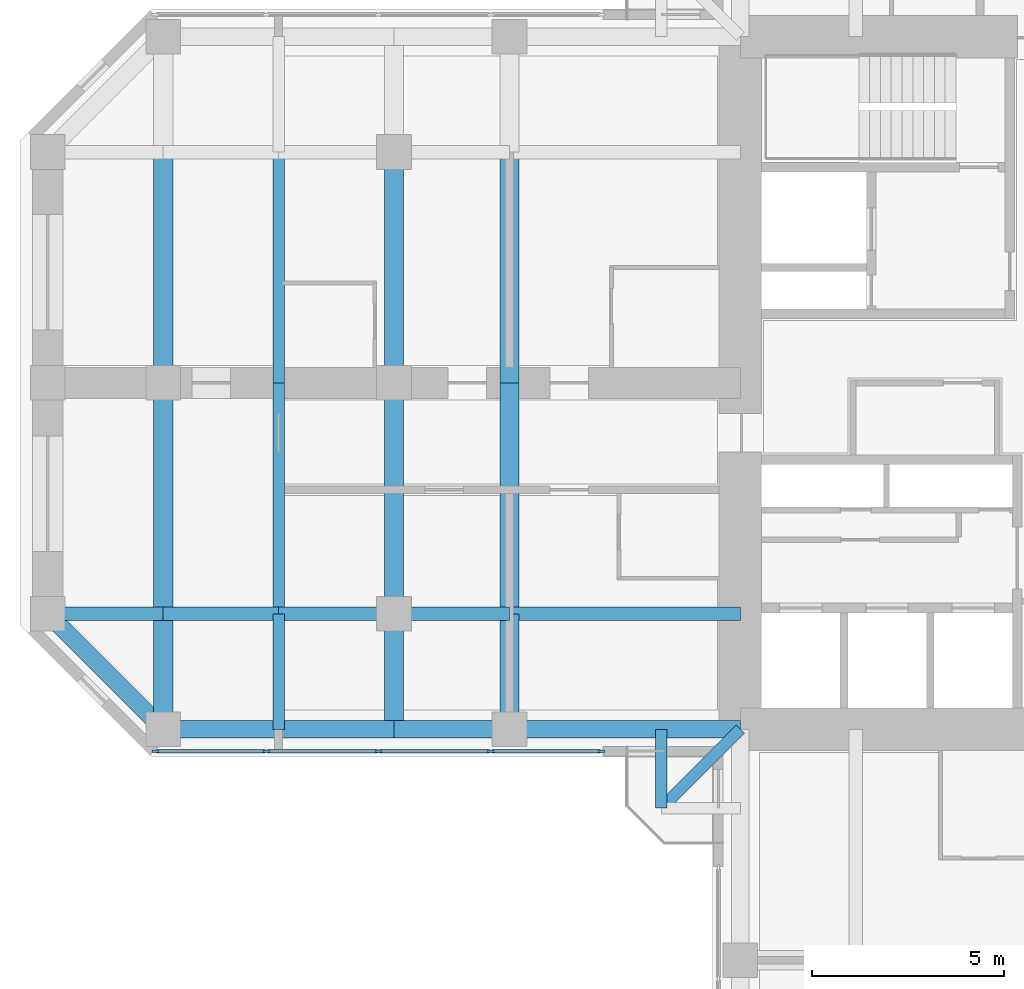
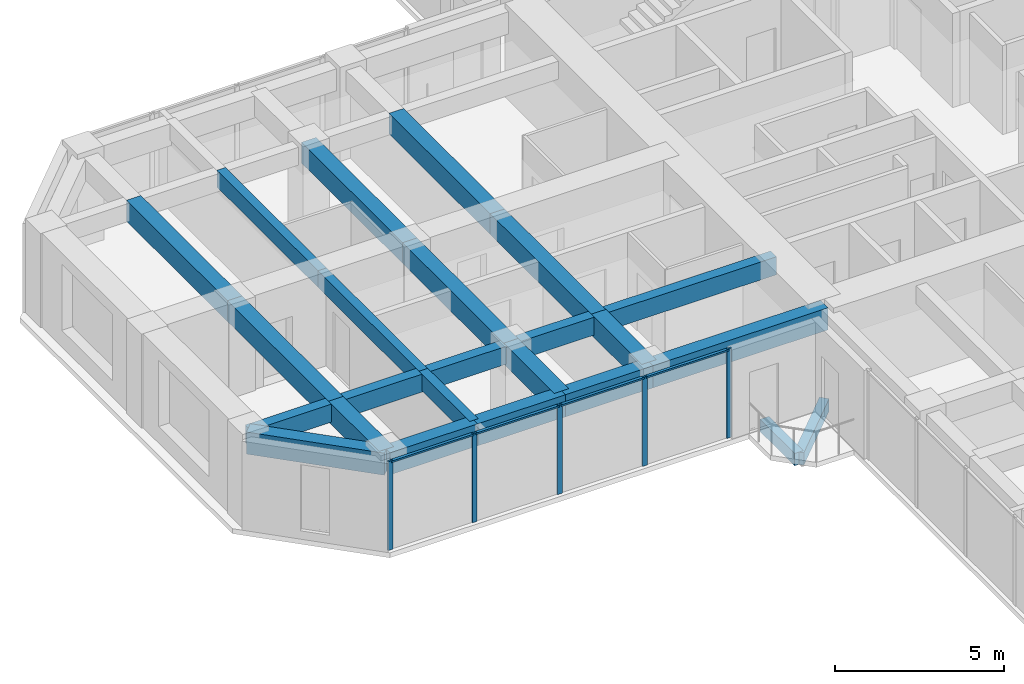
# One storey, part 3 of 14: 24 beams, 9 members, 1 element without a shape of its own.
"""IFC4 building model written with IfcOpenShell, lengths in metres."""

import ifcopenshell
import ifcopenshell.guid

model = None  # the IFC model being written
_history = None  # IfcOwnerHistory: only IFC2X3 demands one
_inside = {}  # id of a spatial element -> (the spatial element, [elements in it])
_under = {}  # id of a project, library or spatial element -> (it, [spatial elements below it])
_declared = {}  # id of a project -> (the project, [libraries it declares])
_typed = {}  # id of a type object -> (the type object, [elements of that type])
_made_of = {}  # id of a material, layer set ... -> (it, [elements and type objects made of it])


def new_model(schema):
    """Start an empty IFC model of exactly this schema.

    Asked for "IFC4X3", IfcOpenShell would pick the latest addendum, in which some entities
    have other attributes; the version numbers below select the first issue.
    IFC2X3 requires an IfcOwnerHistory on every rooted entity: one is made here for all.
    """
    global model, _history
    if schema == "IFC4X3":
        model = ifcopenshell.file(schema_version=(4, 3, 0, 0))
    else:
        model = ifcopenshell.file(schema=schema)
    _inside.clear()
    _under.clear()
    _declared.clear()
    _typed.clear()
    _made_of.clear()
    _history = None
    if model.schema == "IFC2X3":
        org = make("IfcOrganization", Name="unknown")
        user = make(
            "IfcPersonAndOrganization",
            ThePerson=make("IfcPerson", FamilyName="unknown"),
            TheOrganization=org,
        )
        app = make(
            "IfcApplication",
            ApplicationDeveloper=org,
            Version="unknown",
            ApplicationFullName="unknown",
            ApplicationIdentifier="unknown",
        )
        _history = make(
            "IfcOwnerHistory",
            OwningUser=user,
            OwningApplication=app,
            ChangeAction="ADDED",
            CreationDate=0,
        )
    return model


def make(cls, **values):
    """One entity of the class cls with the attributes given. An attribute that is None is left unset."""
    return model.create_entity(
        cls, **{name: value for name, value in values.items() if value is not None}
    )


def rooted(cls, **values):
    """An entity with a GlobalId (a new one), such as an element, a storey or a relation."""
    return make(cls, GlobalId=ifcopenshell.guid.new(), OwnerHistory=_history, **values)


def si_unit(unit_type, name, prefix=None):
    """IfcSIUnit, for example si_unit("LENGTHUNIT", "METRE", prefix="MILLI")."""
    return make("IfcSIUnit", UnitType=unit_type, Prefix=prefix, Name=name)


def assignment(units):
    """IfcUnitAssignment: the units of a project."""
    return None if units is None else make("IfcUnitAssignment", Units=units)


def point(xyz):
    """IfcCartesianPoint."""
    return None if xyz is None else make("IfcCartesianPoint", Coordinates=xyz)


def direction(xyz):
    """IfcDirection."""
    return None if xyz is None else make("IfcDirection", DirectionRatios=xyz)


def frame(location, z_axis=None, x_axis=None):
    """IfcAxis2Placement3D, a coordinate frame: its origin and axes. An axis left out is left unset."""
    return make(
        "IfcAxis2Placement3D",
        Location=point(location),
        Axis=direction(z_axis),
        RefDirection=direction(x_axis),
    )


def frame_2d(location, x_axis=None):
    """IfcAxis2Placement2D, a coordinate frame in the plane: its origin and x axis."""
    return make(
        "IfcAxis2Placement2D", Location=point(location), RefDirection=direction(x_axis)
    )


def origin():
    """The frame at (0, 0, 0) with its axes left unset."""
    return frame((0.0, 0.0, 0.0))


def origin_2d():
    """The frame at (0, 0) in the plane with its x axis left unset."""
    return frame_2d((0.0, 0.0))


def place(relative_to, where):
    """IfcLocalPlacement: puts the frame where relative to a parent placement (None: the world)."""
    return make(
        "IfcLocalPlacement", PlacementRelTo=relative_to, RelativePlacement=where
    )


def context(
    kind, dimensions, precision=None, world=None, true_north=None, identifier=None
):
    """IfcGeometricRepresentationContext, for example the 3D "Model" context."""
    return make(
        "IfcGeometricRepresentationContext",
        ContextIdentifier=identifier,
        ContextType=kind,
        CoordinateSpaceDimension=dimensions,
        Precision=precision,
        WorldCoordinateSystem=world,
        TrueNorth=true_north,
    )


def subcontext(parent, identifier, kind, view, scale=None):
    """IfcGeometricRepresentationSubContext, for example "Body" below "Model"."""
    return make(
        "IfcGeometricRepresentationSubContext",
        ContextIdentifier=identifier,
        ContextType=kind,
        ParentContext=parent,
        TargetScale=scale,
        TargetView=view,
    )


def project(units=None, contexts=None):
    """IfcProject with its units and contexts."""
    return rooted(
        "IfcProject",
        Name="project",
        RepresentationContexts=contexts,
        UnitsInContext=assignment(units),
    )


def spatial(cls, under=None, at=None, **own):
    """A site, building, storey or space (cls), placed at a placement, below another one or the project."""
    s = rooted(cls, ObjectPlacement=at, **own)
    if under is not None:
        _under.setdefault(under.id(), (under, []))[1].append(s)
    return s


def profile(cls, at=None, kind="AREA", **sizes):
    """A parametric profile (cls). Its sizes go by their IFC names, for example OverallWidth=200.0."""
    return make(cls, ProfileType=kind, Position=at, **sizes)


def rectangle(**sizes):
    """IfcRectangleProfileDef."""
    return profile("IfcRectangleProfileDef", **sizes)


def extrude(swept, where, along, depth):
    """IfcExtrudedAreaSolid: the profile swept, set in the frame where, extruded along a direction by depth."""
    return make(
        "IfcExtrudedAreaSolid",
        SweptArea=swept,
        Position=where,
        ExtrudedDirection=direction(along),
        Depth=depth,
    )


def shape(context_of_items, identifier, shape_type, items):
    """IfcShapeRepresentation: the items that make up one representation, for example the "Body"."""
    return make(
        "IfcShapeRepresentation",
        ContextOfItems=context_of_items,
        RepresentationIdentifier=identifier,
        RepresentationType=shape_type,
        Items=items,
    )


def material(Name=None, Category=None):
    """IfcMaterial."""
    return make("IfcMaterial", Name=Name, Category=Category)


def material_profile(
    of_material, cross_section, Name=None, Category=None, Priority=None
):
    """IfcMaterialProfile: a cross section and its material."""
    return make(
        "IfcMaterialProfile",
        Name=Name,
        Material=of_material,
        Profile=cross_section,
        Priority=Priority,
        Category=Category,
    )


def profile_set(profiles, Name=None, composite=None):
    """IfcMaterialProfileSet."""
    return make(
        "IfcMaterialProfileSet",
        Name=Name,
        MaterialProfiles=profiles,
        CompositeProfile=composite,
    )


def made_of(thing, what):
    """Note that an element or type object is made of a material, layer set ...; save() writes the relation."""
    if what is not None:
        _made_of.setdefault(what.id(), (what, []))[1].append(thing)
    return thing


def type_object(cls, material=None, **own):
    """A type object (cls), such as IfcWallType, which elements share."""
    return made_of(rooted(cls, **own), material)


def element(
    cls,
    number,
    at=None,
    inside=None,
    cuts=None,
    type_object=None,
    material=None,
    context=None,
    identifier="Body",
    shape_type=None,
    held_by="IfcProductDefinitionShape",
    body=None,
    shapes=None,
    **own,
):
    """One element of the class cls, such as IfcWall. Its Tag is "e" and its number.

    at: its placement. inside: the storey or other place that contains it. cuts: it is an
    opening in that element (IfcRelVoidsElement). A single representation is given by context,
    identifier, shape_type and body (its items); several are given by shapes. held_by: the class
    of the entity that holds the representations. save() writes the other relations.
    """
    e = rooted(cls, Tag="e%d" % number, ObjectPlacement=at, **own)
    if body is not None:
        shapes = [shape(context, identifier, shape_type, body)]
    if shapes is not None:
        e.Representation = make(held_by, Representations=shapes)
    if inside is not None:
        _inside.setdefault(inside.id(), (inside, []))[1].append(e)
    if cuts is not None:
        rooted(
            "IfcRelVoidsElement", RelatingBuildingElement=cuts, RelatedOpeningElement=e
        )
    if type_object is not None:
        _typed.setdefault(type_object.id(), (type_object, []))[1].append(e)
    return made_of(e, material)


def aggregate(whole, parts):
    """IfcRelAggregates: a whole, such as a stair, and the parts it consists of."""
    return rooted("IfcRelAggregates", RelatingObject=whole, RelatedObjects=parts)


def save(model, path):
    """Write the relations noted so far, then the file.

    IfcRelAggregates (storeys below a building ...), IfcRelContainedInSpatialStructure (elements
    in a storey), IfcRelDefinesByType, IfcRelAssociatesMaterial and IfcRelDeclares: one each for
    every whole, place, type object, material and project.
    """
    for whole, parts in _under.values():
        aggregate(whole, parts)
    for where, things in _inside.values():
        rooted(
            "IfcRelContainedInSpatialStructure",
            RelatedElements=things,
            RelatingStructure=where,
        )
    for kind, things in _typed.values():
        rooted("IfcRelDefinesByType", RelatedObjects=things, RelatingType=kind)
    for what, things in _made_of.values():
        rooted("IfcRelAssociatesMaterial", RelatedObjects=things, RelatingMaterial=what)
    for by, libraries in _declared.values():
        rooted("IfcRelDeclares", RelatingContext=by, RelatedDefinitions=libraries)
    model.write(path)


model = new_model("IFC4")

# Units and contexts
model_context = context("Model", 3, precision=1e-05, world=origin(), true_north=direction((0.0, 1.0)))
body_context = subcontext(model_context, "Body", "Model", "MODEL_VIEW")
ifc_project = project(units=[si_unit("LENGTHUNIT", "METRE"), si_unit("AREAUNIT", "SQUARE_METRE"), si_unit("VOLUMEUNIT", "CUBIC_METRE"), si_unit("PLANEANGLEUNIT", "RADIAN"), si_unit("MASSUNIT", "GRAM", prefix="KILO")], contexts=[model_context])

# Site, building, storey
site_placement = place(None, origin())
site = spatial("IfcSite", under=ifc_project, at=site_placement, CompositionType="ELEMENT")
building_placement = place(site_placement, origin())
building = spatial("IfcBuilding", under=site, at=building_placement, Name="Torre Cruceta", CompositionType="ELEMENT")
storey_placement = place(building_placement, frame((0.0, 0.0, 206.89990234375)))
storey = spatial("IfcBuildingStorey", under=building, at=storey_placement, Name="L52", CompositionType="ELEMENT", Elevation=206.89990234375)

# Beams
ifc_material_1 = material(Name="Concrete G60 (fck 60 MPa)", Category="concrete")
ifc_material_profile_1 = material_profile(ifc_material_1, rectangle(XDim=0.300048828125, YDim=0.449951171875, at=origin_2d()), Name="RC 300X450")
ifc_profile_set_1 = profile_set([ifc_material_profile_1], Name="Concrete G60 (fck 60 MPa)")
beam_type_1 = type_object("IfcBeamType", Name="BALCONY CANTILEVER BEAM RC 300X450", PredefinedType="BEAM", material=ifc_profile_set_1)
beam_1_placement = place(storey_placement, frame((-9.0, -9.0, -0.40478515625), z_axis=(-0.707106781187, -0.707106781187, 0.0), x_axis=(0.707106781187, -0.707106781187, 0.0)))
element("IfcBeam", 1, at=beam_1_placement, inside=storey, type_object=beam_type_1, Name="BB1 balcony beam L52 W", PredefinedType="BEAM", context=body_context, shape_type="SweptSolid", body=[
    extrude(rectangle(XDim=0.300048828125, YDim=0.449951171875, at=origin_2d()), origin(), (0.0, 0.0, 1.0), 2.89990234375),
])
beam_2_placement = place(storey_placement, frame((-11.050537109375, -9.0, -0.40478515625), z_axis=(0.0, -1.0, 0.0), x_axis=(1.0, 0.0, 0.0)))
element("IfcBeam", 2, at=beam_2_placement, inside=storey, type_object=beam_type_1, Name="BB1 balcony edge beam L52 W-X", PredefinedType="BEAM", context=body_context, shape_type="SweptSolid", body=[
    extrude(rectangle(XDim=0.300048828125, YDim=0.449951171875, at=origin_2d()), origin(), (0.0, 0.0, 1.0), 2.050537109375),
])
ifc_material_2 = material(Name="Concrete G60 (fck 60 MPa)", Category="concrete")
ifc_material_profile_2 = material_profile(ifc_material_2, rectangle(XDim=0.35009765625, YDim=0.64990234375, at=origin_2d()), Name="RC 350X650")
ifc_profile_set_2 = profile_set([ifc_material_profile_2], Name="Concrete G60 (fck 60 MPa)")
beam_type_2 = type_object("IfcBeamType", Name="COLUMN LINE BEAM RC 350X650", PredefinedType="BEAM", material=ifc_profile_set_2)
beam_3_placement = place(storey_placement, frame((-9.0, -6.0, 2.89501953125), z_axis=(-1.0, 0.0, 0.0), x_axis=(0.0, -1.0, 0.0)))
element("IfcBeam", 3, at=beam_3_placement, inside=storey, type_object=beam_type_2, Name="LB7 L52 W col+ 1", PredefinedType="BEAM", context=body_context, shape_type="SweptSolid", body=[
    extrude(rectangle(XDim=0.35009765625, YDim=0.64990234375, at=origin_2d()), origin(), (0.0, 0.0, 1.0), 6.0),
])
for number, where, z_axis, x_axis, name in (
    (4, (-15.0, -6.0, 2.89501953125), (-1.0, 0.0, 0.0), (0.0, -1.0, 0.0), "LB7 L52 W col+ 2"),
    (5, (-18.0, -6.0, 2.89501953125), (-1.0, 0.0, 0.0), (0.0, -1.0, 0.0), "LB7 L52 W col+ 3"),
    (6, (-21.0, -6.0, 2.89501953125), (-1.0, 0.0, 0.0), (0.0, -1.0, 0.0), "LB7 L52 W col+ 4"),
    (7, (-24.0, -6.0, 2.89501953125), (-1.0, 0.0, 0.0), (0.0, -1.0, 0.0), "LB7 L52 W col+ 5"),
):
    element("IfcBeam", number, at=place(storey_placement, frame(where, z_axis=z_axis, x_axis=x_axis)), inside=storey, type_object=beam_type_2, Name=name, PredefinedType="BEAM", context=body_context, shape_type="SweptSolid", body=[
        extrude(rectangle(XDim=0.35009765625, YDim=0.64990234375, at=origin_2d()), origin(), (0.0, 0.0, 1.0), 3.0),
    ])
ifc_material_3 = material(Name="Concrete G60 (fck 60 MPa)", Category="concrete")
ifc_material_profile_3 = material_profile(ifc_material_3, rectangle(XDim=0.5, YDim=0.75, at=origin_2d()), Name="RC 500X750")
ifc_profile_set_3 = profile_set([ifc_material_profile_3], Name="Concrete G60 (fck 60 MPa)")
beam_type_3 = type_object("IfcBeamType", Name="CROSS BEAM RC 500X750", PredefinedType="BEAM", material=ifc_profile_set_3)
for number, where, z_axis, x_axis, name in (
    (8, (-15.0, 6.0, 2.84521484375), (0.0, -1.0, 0.0), (1.0, 0.0, 0.0), "GB6 L52 W cross15 2"),
    (9, (-15.0, 0.0, 2.84521484375), (0.0, -1.0, 0.0), (1.0, 0.0, 0.0), "GB6 L52 W cross15 3"),
):
    element("IfcBeam", number, at=place(storey_placement, frame(where, z_axis=z_axis, x_axis=x_axis)), inside=storey, type_object=beam_type_3, Name=name, PredefinedType="BEAM", context=body_context, shape_type="SweptSolid", body=[
        extrude(rectangle(XDim=0.5, YDim=0.75, at=origin_2d()), origin(), (0.0, 0.0, 1.0), 6.0),
    ])
beam_4_placement = place(storey_placement, frame((-15.0, -6.0, 2.84521484375), z_axis=(0.0, -1.0, 0.0), x_axis=(1.0, 0.0, 0.0)))
element("IfcBeam", 10, at=beam_4_placement, inside=storey, type_object=beam_type_3, Name="GB6 L52 W cross15 4", PredefinedType="BEAM", context=body_context, shape_type="SweptSolid", body=[
    extrude(rectangle(XDim=0.5, YDim=0.75, at=origin_2d()), origin(), (0.0, 0.0, 1.0), 3.0),
])
for number, where, z_axis, x_axis, name in (
    (11, (-18.0, 6.0, 2.84521484375), (0.0, -1.0, 0.0), (1.0, 0.0, 0.0), "GB6 L52 W cross18 2"),
    (12, (-18.0, 0.0, 2.84521484375), (0.0, -1.0, 0.0), (1.0, 0.0, 0.0), "GB6 L52 W cross18 3"),
):
    element("IfcBeam", number, at=place(storey_placement, frame(where, z_axis=z_axis, x_axis=x_axis)), inside=storey, type_object=beam_type_3, Name=name, PredefinedType="BEAM", context=body_context, shape_type="SweptSolid", body=[
        extrude(rectangle(XDim=0.5, YDim=0.75, at=origin_2d()), origin(), (0.0, 0.0, 1.0), 6.0),
    ])
beam_5_placement = place(storey_placement, frame((-18.0, -6.0, 2.84521484375), z_axis=(0.0, -1.0, 0.0), x_axis=(1.0, 0.0, 0.0)))
element("IfcBeam", 13, at=beam_5_placement, inside=storey, type_object=beam_type_3, Name="GB6 L52 W cross18 4", PredefinedType="BEAM", context=body_context, shape_type="SweptSolid", body=[
    extrude(rectangle(XDim=0.5, YDim=0.75, at=origin_2d()), origin(), (0.0, 0.0, 1.0), 3.0),
])
for number, where, z_axis, x_axis, name in (
    (14, (-24.0, 6.0, 2.84521484375), (0.0, -1.0, 0.0), (1.0, 0.0, 0.0), "GB6 L52 W cross24 2"),
    (15, (-24.0, 0.0, 2.84521484375), (0.0, -1.0, 0.0), (1.0, 0.0, 0.0), "GB6 L52 W cross24 3"),
):
    element("IfcBeam", number, at=place(storey_placement, frame(where, z_axis=z_axis, x_axis=x_axis)), inside=storey, type_object=beam_type_3, Name=name, PredefinedType="BEAM", context=body_context, shape_type="SweptSolid", body=[
        extrude(rectangle(XDim=0.5, YDim=0.75, at=origin_2d()), origin(), (0.0, 0.0, 1.0), 6.0),
    ])
beam_6_placement = place(storey_placement, frame((-24.0, -6.0, 2.84521484375), z_axis=(0.0, -1.0, 0.0), x_axis=(1.0, 0.0, 0.0)))
element("IfcBeam", 16, at=beam_6_placement, inside=storey, type_object=beam_type_3, Name="GB6 L52 W cross24 4", PredefinedType="BEAM", context=body_context, shape_type="SweptSolid", body=[
    extrude(rectangle(XDim=0.5, YDim=0.75, at=origin_2d()), origin(), (0.0, 0.0, 1.0), 3.0),
])

# Curtain wall, members
ifc_material_4 = material(Name="Aluminium unitised curtain wall", Category="aluminium")
curtain_wall_type = type_object("IfcCurtainWallType", Name="CURTAIN WALL CW-C CO-LIVING", PredefinedType="USERDEFINED", material=ifc_material_4)
curtain_wall_placement = place(storey_placement, origin())
curtain_wall = element("IfcCurtainWall", 17, at=curtain_wall_placement, inside=storey, type_object=curtain_wall_type, Name="CW-C L52 W side 14", ObjectType="UNITISED", PredefinedType="USERDEFINED")
ifc_material_5 = material(Name="Aluminium mullion", Category="aluminium")
ifc_material_profile_4 = material_profile(ifc_material_5, rectangle(XDim=0.06005859375, YDim=0.159912109375, at=origin_2d()), Name="AL 60X160")
ifc_profile_set_4 = profile_set([ifc_material_profile_4], Name="Aluminium mullion")
member_type_1 = type_object("IfcMemberType", Name="CW-C MULLION 60X160", PredefinedType="MULLION", material=ifc_profile_set_4)
member_1_placement = place(storey_placement, frame((-24.2060546875, -9.570068359375, 0.0), z_axis=(0.0, 0.0, 1.0), x_axis=(0.0, 1.0, 0.0)))
member_1 = element("IfcMember", 18, at=member_1_placement, type_object=member_type_1, Name="CW-C mullion 1", PredefinedType="MULLION", context=body_context, shape_type="SweptSolid", body=[
    extrude(rectangle(XDim=0.06005859375, YDim=0.159912109375, at=origin_2d()), origin(), (0.0, 0.0, 1.0), 3.22021484375),
])
member_2_placement = place(storey_placement, frame((-21.319580078125, -9.570068359375, 0.0), z_axis=(0.0, 0.0, 1.0), x_axis=(0.0, 1.0, 0.0)))
member_2 = element("IfcMember", 19, at=member_2_placement, type_object=member_type_1, Name="CW-C mullion 2", PredefinedType="MULLION", context=body_context, shape_type="SweptSolid", body=[
    extrude(rectangle(XDim=0.06005859375, YDim=0.159912109375, at=origin_2d()), origin(), (0.0, 0.0, 1.0), 3.22021484375),
])
member_3_placement = place(storey_placement, frame((-18.403076171875, -9.570068359375, 0.0), z_axis=(0.0, 0.0, 1.0), x_axis=(0.0, 1.0, 0.0)))
member_3 = element("IfcMember", 20, at=member_3_placement, type_object=member_type_1, Name="CW-C mullion 3", PredefinedType="MULLION", context=body_context, shape_type="SweptSolid", body=[
    extrude(rectangle(XDim=0.06005859375, YDim=0.159912109375, at=origin_2d()), origin(), (0.0, 0.0, 1.0), 3.22021484375),
])
member_4_placement = place(storey_placement, frame((-15.486572265625, -9.570068359375, 0.0), z_axis=(0.0, 0.0, 1.0), x_axis=(0.0, 1.0, 0.0)))
member_4 = element("IfcMember", 21, at=member_4_placement, type_object=member_type_1, Name="CW-C mullion 4", PredefinedType="MULLION", context=body_context, shape_type="SweptSolid", body=[
    extrude(rectangle(XDim=0.06005859375, YDim=0.159912109375, at=origin_2d()), origin(), (0.0, 0.0, 1.0), 3.22021484375),
])
member_5_placement = place(storey_placement, frame((-12.60009765625, -9.570068359375, 0.0), z_axis=(0.0, 0.0, 1.0), x_axis=(0.0, 1.0, 0.0)))
member_5 = element("IfcMember", 22, at=member_5_placement, type_object=member_type_1, Name="CW-C mullion 5", PredefinedType="MULLION", context=body_context, shape_type="SweptSolid", body=[
    extrude(rectangle(XDim=0.06005859375, YDim=0.159912109375, at=origin_2d()), origin(), (0.0, 0.0, 1.0), 3.22021484375),
])
ifc_material_6 = material(Name="Aluminium transom", Category="aluminium")
ifc_material_profile_5 = material_profile(ifc_material_6, rectangle(XDim=0.10009765625, YDim=0.06005859375, at=origin_2d()), Name="AL 100X60")
ifc_profile_set_5 = profile_set([ifc_material_profile_5], Name="Aluminium transom")
member_type_2 = type_object("IfcMemberType", Name="CW-C TRANSOM 60X100", PredefinedType="USERDEFINED", material=ifc_profile_set_5)
member_6_placement = place(storey_placement, frame((-24.176025390625, -9.570068359375, 3.190185546875), z_axis=(1.0, 0.0, 0.0), x_axis=(0.0, 1.0, 0.0)))
member_6 = element("IfcMember", 23, at=member_6_placement, type_object=member_type_2, Name="CW-C transom 1", ObjectType="TRANSOM", PredefinedType="USERDEFINED", context=body_context, shape_type="SweptSolid", body=[
    extrude(rectangle(XDim=0.10009765625, YDim=0.06005859375, at=origin_2d()), origin(), (0.0, 0.0, 1.0), 2.826416015625),
])
member_7_placement = place(storey_placement, frame((-21.28955078125, -9.570068359375, 3.190185546875), z_axis=(1.0, 0.0, 0.0), x_axis=(0.0, 1.0, 0.0)))
member_7 = element("IfcMember", 24, at=member_7_placement, type_object=member_type_2, Name="CW-C transom 2", ObjectType="TRANSOM", PredefinedType="USERDEFINED", context=body_context, shape_type="SweptSolid", body=[
    extrude(rectangle(XDim=0.10009765625, YDim=0.06005859375, at=origin_2d()), origin(), (0.0, 0.0, 1.0), 2.8564453125),
])
member_8_placement = place(storey_placement, frame((-18.373046875, -9.570068359375, 3.190185546875), z_axis=(1.0, 0.0, 0.0), x_axis=(0.0, 1.0, 0.0)))
member_8 = element("IfcMember", 25, at=member_8_placement, type_object=member_type_2, Name="CW-C transom 3", ObjectType="TRANSOM", PredefinedType="USERDEFINED", context=body_context, shape_type="SweptSolid", body=[
    extrude(rectangle(XDim=0.10009765625, YDim=0.06005859375, at=origin_2d()), origin(), (0.0, 0.0, 1.0), 2.8564453125),
])
member_9_placement = place(storey_placement, frame((-15.45654296875, -9.570068359375, 3.190185546875), z_axis=(1.0, 0.0, 0.0), x_axis=(0.0, 1.0, 0.0)))
member_9 = element("IfcMember", 26, at=member_9_placement, type_object=member_type_2, Name="CW-C transom 4", ObjectType="TRANSOM", PredefinedType="USERDEFINED", context=body_context, shape_type="SweptSolid", body=[
    extrude(rectangle(XDim=0.10009765625, YDim=0.06005859375, at=origin_2d()), origin(), (0.0, 0.0, 1.0), 2.82666015625),
])
aggregate(curtain_wall, [member_1, member_2, member_3, member_4, member_5, member_6, member_7, member_8, member_9])

# Beams
ifc_material_7 = material(Name="Concrete G60 (fck 60 MPa)", Category="concrete")
ifc_material_profile_6 = material_profile(ifc_material_7, rectangle(XDim=0.300048828125, YDim=0.60009765625, at=origin_2d()), Name="RC 300X600")
ifc_profile_set_6 = profile_set([ifc_material_profile_6], Name="Concrete G60 (fck 60 MPa)")
beam_type_4 = type_object("IfcBeamType", Name="SECONDARY BEAM RC 300X600", PredefinedType="JOIST", material=ifc_profile_set_6)
for number, where, z_axis, x_axis, name in (
    (27, (-21.0, 6.0, 2.920166015625), (0.0, -1.0, 0.0), (1.0, 0.0, 0.0), "JB6 L52 W sec21 2"),
    (28, (-21.0, 0.0, 2.920166015625), (0.0, -1.0, 0.0), (1.0, 0.0, 0.0), "JB6 L52 W sec21 3"),
):
    element("IfcBeam", number, at=place(storey_placement, frame(where, z_axis=z_axis, x_axis=x_axis)), inside=storey, type_object=beam_type_4, Name=name, PredefinedType="JOIST", context=body_context, shape_type="SweptSolid", body=[
        extrude(rectangle(XDim=0.300048828125, YDim=0.60009765625, at=origin_2d()), origin(), (0.0, 0.0, 1.0), 6.0),
    ])
beam_7_placement = place(storey_placement, frame((-21.0, -6.0, 2.920166015625), z_axis=(0.0, -1.0, 0.0), x_axis=(1.0, 0.0, 0.0)))
element("IfcBeam", 29, at=beam_7_placement, inside=storey, type_object=beam_type_4, Name="JB6 L52 W sec21 4", PredefinedType="JOIST", context=body_context, shape_type="SweptSolid", body=[
    extrude(rectangle(XDim=0.300048828125, YDim=0.60009765625, at=origin_2d()), origin(), (0.0, 0.0, 1.0), 3.0),
])
ifc_material_8 = material(Name="Concrete G60 (fck 60 MPa)", Category="concrete")
ifc_material_profile_7 = material_profile(ifc_material_8, rectangle(XDim=0.449951171875, YDim=0.800048828125, at=origin_2d()), Name="RC 450X800")
ifc_profile_set_7 = profile_set([ifc_material_profile_7], Name="Concrete G60 (fck 60 MPa)")
beam_type_5 = type_object("IfcBeamType", Name="SPANDREL BEAM RC 450X800", PredefinedType="SPANDREL", material=ifc_profile_set_7)
beam_8_placement = place(storey_placement, frame((-9.0, -9.0, 2.820068359375), z_axis=(-1.0, 0.0, 0.0), x_axis=(0.0, -1.0, 0.0)))
element("IfcBeam", 30, at=beam_8_placement, inside=storey, type_object=beam_type_5, Name="SB6 L52 W side+ 1", PredefinedType="SPANDREL", context=body_context, shape_type="SweptSolid", body=[
    extrude(rectangle(XDim=0.449951171875, YDim=0.800048828125, at=origin_2d()), origin(), (0.0, 0.0, 1.0), 6.0),
])
for number, where, z_axis, x_axis, name in (
    (31, (-15.0, -9.0, 2.820068359375), (-1.0, 0.0, 0.0), (0.0, -1.0, 0.0), "SB6 L52 W side+ 2"),
    (32, (-18.0, -9.0, 2.820068359375), (-1.0, 0.0, 0.0), (0.0, -1.0, 0.0), "SB6 L52 W side+ 3"),
    (33, (-21.0, -9.0, 2.820068359375), (-1.0, 0.0, 0.0), (0.0, -1.0, 0.0), "SB6 L52 W side+ 4"),
):
    element("IfcBeam", number, at=place(storey_placement, frame(where, z_axis=z_axis, x_axis=x_axis)), inside=storey, type_object=beam_type_5, Name=name, PredefinedType="SPANDREL", context=body_context, shape_type="SweptSolid", body=[
        extrude(rectangle(XDim=0.449951171875, YDim=0.800048828125, at=origin_2d()), origin(), (0.0, 0.0, 1.0), 3.0),
    ])
beam_9_placement = place(storey_placement, frame((-24.0, -9.0, 2.820068359375), z_axis=(-0.707106781187, 0.707106781187, 0.0), x_axis=(-0.707106781187, -0.707106781187, 0.0)))
element("IfcBeam", 34, at=beam_9_placement, inside=storey, type_object=beam_type_5, Name="SB6 L52 W side+ 5", PredefinedType="SPANDREL", context=body_context, shape_type="SweptSolid", body=[
    extrude(rectangle(XDim=0.449951171875, YDim=0.800048828125, at=origin_2d()), origin(), (0.0, 0.0, 1.0), 4.24267578125),
])

save(model, "model.ifc")
